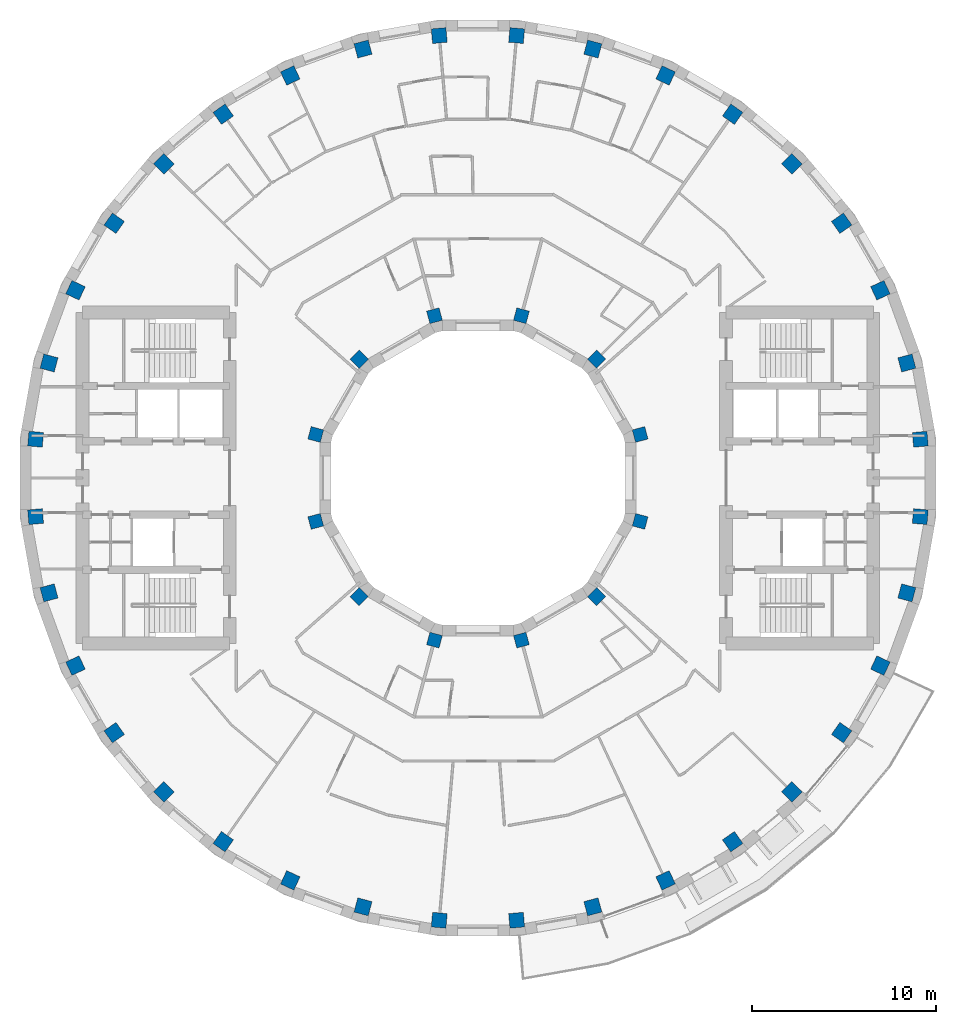
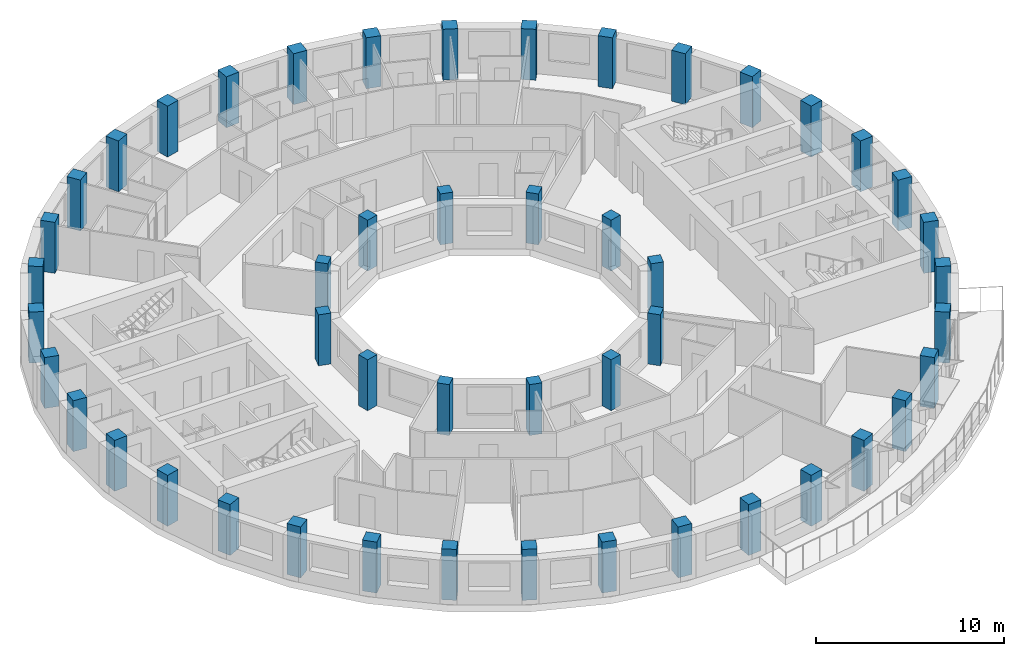
# One storey, part 1 of 15: 48 columns.
"""IFC4 building model written with IfcOpenShell, lengths in metres."""

from ifc_helpers import new_model, si_unit, direction, frame, origin, origin_2d, place, context, subcontext, project, spatial, rectangle, extrude, material, material_profile, profile_set, type_object, element, save


model = new_model("IFC4")

# Units and contexts
model_context = context("Model", 3, precision=1e-05, world=origin(), true_north=direction((0.0, 1.0)))
body_context = subcontext(model_context, "Body", "Model", "MODEL_VIEW")
ifc_project = project(units=[si_unit("LENGTHUNIT", "METRE"), si_unit("AREAUNIT", "SQUARE_METRE"), si_unit("VOLUMEUNIT", "CUBIC_METRE"), si_unit("PLANEANGLEUNIT", "RADIAN"), si_unit("MASSUNIT", "GRAM", prefix="KILO")], contexts=[model_context])

# Site, building, storey
site_placement = place(None, origin())
site = spatial("IfcSite", under=ifc_project, at=site_placement, CompositionType="ELEMENT")
building_placement = place(site_placement, origin())
building = spatial("IfcBuilding", under=site, at=building_placement, Name="Saqina Gate Tower", CompositionType="ELEMENT")
storey_placement = place(building_placement, frame((0.0, 0.0, 164.10009765625)))
storey = spatial("IfcBuildingStorey", under=building, at=storey_placement, Name="L46", CompositionType="ELEMENT", Elevation=164.10009765625)

# Columns
ifc_material_1 = material(Name="Concrete C60/75", Category="concrete")
ifc_material_profile_1 = material_profile(ifc_material_1, rectangle(XDim=0.699951171875, YDim=0.699951171875, at=origin_2d()), Name="RC 700x700")
ifc_profile_set_1 = profile_set([ifc_material_profile_1], Name="Concrete C60/75")
column_type_1 = type_object("IfcColumnType", Name="STR-COL-IN-C", PredefinedType="COLUMN", material=ifc_profile_set_1)
for number, where, z_axis, x_axis, name in (
    (1, (8.821044921875, 2.363525390625, 0.0), (0.0, 0.0, 1.0), (0.965925826289, 0.258819045103, 0.0), "L46-ICL01"),
    (2, (6.45751953125, 6.45751953125, 0.0), (0.0, 0.0, 1.0), (0.707106781187, 0.707106781187, 0.0), "L46-ICL02"),
    (3, (2.363525390625, 8.821044921875, 0.0), (0.0, 0.0, 1.0), (0.258819045103, 0.965925826289, 0.0), "L46-ICL03"),
    (4, (-2.363525390625, 8.821044921875, 0.0), (0.0, 0.0, 1.0), (-0.258819045103, 0.965925826289, 0.0), "L46-ICL04"),
    (5, (-6.45751953125, 6.45751953125, 0.0), (0.0, 0.0, 1.0), (-0.707106781187, 0.707106781187, 0.0), "L46-ICL05"),
    (6, (-8.821044921875, 2.363525390625, 0.0), (0.0, 0.0, 1.0), (-0.965925826289, 0.258819045103, 0.0), "L46-ICL06"),
    (7, (-8.821044921875, -2.363525390625, 0.0), (0.0, 0.0, 1.0), (-0.965925826289, -0.258819045103, 0.0), "L46-ICL07"),
    (8, (-6.45751953125, -6.45751953125, 0.0), (0.0, 0.0, 1.0), (-0.707106781187, -0.707106781187, 0.0), "L46-ICL08"),
    (9, (-2.363525390625, -8.821044921875, 0.0), (0.0, 0.0, 1.0), (-0.258819045103, -0.965925826289, 0.0), "L46-ICL09"),
    (10, (2.363525390625, -8.821044921875, 0.0), (0.0, 0.0, 1.0), (0.258819045103, -0.965925826289, 0.0), "L46-ICL10"),
    (11, (6.45751953125, -6.45751953125, 0.0), (0.0, 0.0, 1.0), (0.707106781187, -0.707106781187, 0.0), "L46-ICL11"),
    (12, (8.821044921875, -2.363525390625, 0.0), (0.0, 0.0, 1.0), (0.965925826289, -0.258819045103, 0.0), "L46-ICL12"),
):
    element("IfcColumn", number, at=place(storey_placement, frame(where, z_axis=z_axis, x_axis=x_axis)), inside=storey, type_object=column_type_1, Name=name, PredefinedType="COLUMN", context=body_context, shape_type="SweptSolid", body=[
        extrude(rectangle(XDim=0.699951171875, YDim=0.699951171875, at=origin_2d()), origin(), (0.0, 0.0, 1.0), 3.2998046875),
    ])
ifc_material_2 = material(Name="Concrete C60/75", Category="concrete")
ifc_material_profile_2 = material_profile(ifc_material_2, rectangle(XDim=0.800048828125, YDim=0.800048828125, at=origin_2d()), Name="RC 800x800")
ifc_profile_set_2 = profile_set([ifc_material_profile_2], Name="Concrete C60/75")
column_type_2 = type_object("IfcColumnType", Name="STR-COL-OUT-C", PredefinedType="COLUMN", material=ifc_profile_set_2)
for number, where, z_axis, x_axis, name in (
    (13, (24.05810546875, 2.104736328125, 0.0), (0.0, 0.0, 1.0), (0.996194698092, 0.087155742748, 0.0), "L46-COL01"),
    (14, (23.3271484375, 6.25048828125, 0.0), (0.0, 0.0, 1.0), (0.965925826289, 0.258819045103, 0.0), "L46-COL02"),
    (15, (21.887451171875, 10.206298828125, 0.0), (0.0, 0.0, 1.0), (0.906307787037, 0.422618261741, 0.0), "L46-COL03"),
    (16, (19.782470703125, 13.851806640625, 0.0), (0.0, 0.0, 1.0), (0.819152044289, 0.573576436351, 0.0), "L46-COL04"),
    (17, (17.07666015625, 17.07666015625, 0.0), (0.0, 0.0, 1.0), (0.707106781187, 0.707106781187, 0.0), "L46-COL05"),
    (18, (13.851806640625, 19.782470703125, 0.0), (0.0, 0.0, 1.0), (0.573576436351, 0.819152044289, 0.0), "L46-COL06"),
    (19, (10.206298828125, 21.887451171875, 0.0), (0.0, 0.0, 1.0), (0.422618261741, 0.906307787037, 0.0), "L46-COL07"),
    (20, (6.25048828125, 23.3271484375, 0.0), (0.0, 0.0, 1.0), (0.258819045103, 0.965925826289, 0.0), "L46-COL08"),
    (21, (2.104736328125, 24.05810546875, 0.0), (0.0, 0.0, 1.0), (0.087155742748, 0.996194698092, 0.0), "L46-COL09"),
    (22, (-2.104736328125, 24.05810546875, 0.0), (0.0, 0.0, 1.0), (-0.087155742748, 0.996194698092, 0.0), "L46-COL10"),
    (23, (-6.25048828125, 23.3271484375, 0.0), (0.0, 0.0, 1.0), (-0.258819045103, 0.965925826289, 0.0), "L46-COL11"),
    (24, (-10.206298828125, 21.887451171875, 0.0), (0.0, 0.0, 1.0), (-0.422618261741, 0.906307787037, 0.0), "L46-COL12"),
    (25, (-13.851806640625, 19.782470703125, 0.0), (0.0, 0.0, 1.0), (-0.573576436351, 0.819152044289, 0.0), "L46-COL13"),
    (26, (-17.07666015625, 17.07666015625, 0.0), (0.0, 0.0, 1.0), (-0.707106781187, 0.707106781187, 0.0), "L46-COL14"),
    (27, (-19.782470703125, 13.851806640625, 0.0), (0.0, 0.0, 1.0), (-0.819152044289, 0.573576436351, 0.0), "L46-COL15"),
    (28, (-21.887451171875, 10.206298828125, 0.0), (0.0, 0.0, 1.0), (-0.906307787037, 0.422618261741, 0.0), "L46-COL16"),
    (29, (-23.3271484375, 6.25048828125, 0.0), (0.0, 0.0, 1.0), (-0.965925826289, 0.258819045103, 0.0), "L46-COL17"),
    (30, (-24.05810546875, 2.104736328125, 0.0), (0.0, 0.0, 1.0), (-0.996194698092, 0.087155742748, 0.0), "L46-COL18"),
    (31, (-24.05810546875, -2.104736328125, 0.0), (0.0, 0.0, 1.0), (-0.996194698092, -0.087155742748, 0.0), "L46-COL19"),
    (32, (-23.3271484375, -6.25048828125, 0.0), (0.0, 0.0, 1.0), (-0.965925826289, -0.258819045103, 0.0), "L46-COL20"),
    (33, (-21.887451171875, -10.206298828125, 0.0), (0.0, 0.0, 1.0), (-0.906307787037, -0.422618261741, 0.0), "L46-COL21"),
    (34, (-19.782470703125, -13.851806640625, 0.0), (0.0, 0.0, 1.0), (-0.819152044289, -0.573576436351, 0.0), "L46-COL22"),
    (35, (-17.07666015625, -17.07666015625, 0.0), (0.0, 0.0, 1.0), (-0.707106781187, -0.707106781187, 0.0), "L46-COL23"),
    (36, (-13.851806640625, -19.782470703125, 0.0), (0.0, 0.0, 1.0), (-0.573576436351, -0.819152044289, 0.0), "L46-COL24"),
    (37, (-10.206298828125, -21.887451171875, 0.0), (0.0, 0.0, 1.0), (-0.422618261741, -0.906307787037, 0.0), "L46-COL25"),
    (38, (-6.25048828125, -23.3271484375, 0.0), (0.0, 0.0, 1.0), (-0.258819045103, -0.965925826289, 0.0), "L46-COL26"),
    (39, (-2.104736328125, -24.05810546875, 0.0), (0.0, 0.0, 1.0), (-0.087155742748, -0.996194698092, 0.0), "L46-COL27"),
    (40, (2.104736328125, -24.05810546875, 0.0), (0.0, 0.0, 1.0), (0.087155742748, -0.996194698092, 0.0), "L46-COL28"),
    (41, (6.25048828125, -23.3271484375, 0.0), (0.0, 0.0, 1.0), (0.258819045103, -0.965925826289, 0.0), "L46-COL29"),
    (42, (10.206298828125, -21.887451171875, 0.0), (0.0, 0.0, 1.0), (0.422618261741, -0.906307787037, 0.0), "L46-COL30"),
    (43, (13.851806640625, -19.782470703125, 0.0), (0.0, 0.0, 1.0), (0.573576436351, -0.819152044289, 0.0), "L46-COL31"),
    (44, (17.07666015625, -17.07666015625, 0.0), (0.0, 0.0, 1.0), (0.707106781187, -0.707106781187, 0.0), "L46-COL32"),
    (45, (19.782470703125, -13.851806640625, 0.0), (0.0, 0.0, 1.0), (0.819152044289, -0.573576436351, 0.0), "L46-COL33"),
    (46, (21.887451171875, -10.206298828125, 0.0), (0.0, 0.0, 1.0), (0.906307787037, -0.422618261741, 0.0), "L46-COL34"),
    (47, (23.3271484375, -6.25048828125, 0.0), (0.0, 0.0, 1.0), (0.965925826289, -0.258819045103, 0.0), "L46-COL35"),
    (48, (24.05810546875, -2.104736328125, 0.0), (0.0, 0.0, 1.0), (0.996194698092, -0.087155742748, 0.0), "L46-COL36"),
):
    element("IfcColumn", number, at=place(storey_placement, frame(where, z_axis=z_axis, x_axis=x_axis)), inside=storey, type_object=column_type_2, Name=name, PredefinedType="COLUMN", context=body_context, shape_type="SweptSolid", body=[
        extrude(rectangle(XDim=0.800048828125, YDim=0.800048828125, at=origin_2d()), origin(), (0.0, 0.0, 1.0), 3.2998046875),
    ])

save(model, "model.ifc")
